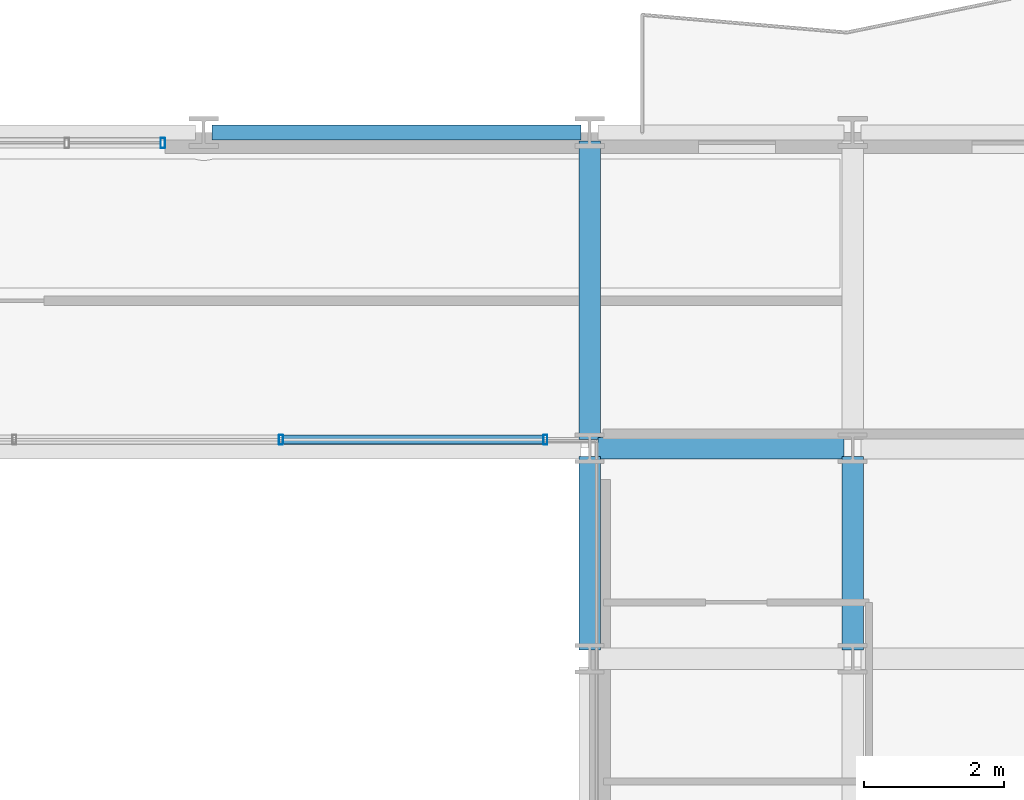
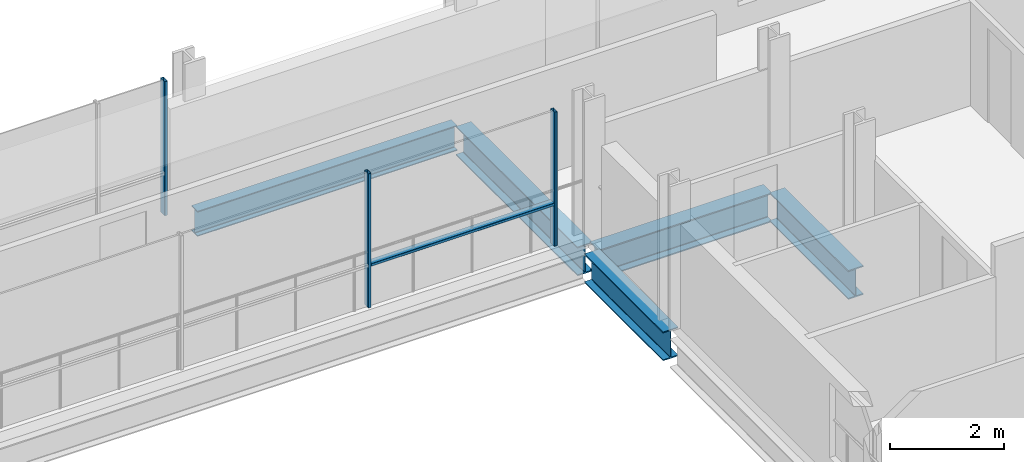
# One storey, part 17 of 39: 5 beams, 4 members, 2 elements without a shape of their own.
"""IFC4 building model written with IfcOpenShell, lengths in metres."""

from ifc_helpers import new_model, si_unit, direction, frame, origin, origin_2d, place, context, subcontext, project, spatial, hollow_rectangle, i_section, extrude, material, layer, layer_set, material_profile, profile_set, type_object, element, aggregate, save


model = new_model("IFC4")

# Units and contexts
model_context = context("Model", 3, precision=1e-05, world=origin(), true_north=direction((0.0, 1.0)))
body_context = subcontext(model_context, "Body", "Model", "MODEL_VIEW")
ifc_project = project(units=[si_unit("LENGTHUNIT", "METRE"), si_unit("AREAUNIT", "SQUARE_METRE"), si_unit("VOLUMEUNIT", "CUBIC_METRE"), si_unit("PLANEANGLEUNIT", "RADIAN"), si_unit("MASSUNIT", "GRAM", prefix="KILO")], contexts=[model_context])

# Site, building, storey
site_placement = place(None, origin())
site = spatial("IfcSite", under=ifc_project, at=site_placement, CompositionType="ELEMENT")
building_placement = place(site_placement, origin())
building = spatial("IfcBuilding", under=site, at=building_placement, Name="Brevholm Reach", CompositionType="ELEMENT")
storey_placement = place(building_placement, frame((0.0, 0.0, 83.800048828125)))
storey = spatial("IfcBuildingStorey", under=building, at=storey_placement, Name="L24", CompositionType="ELEMENT", Elevation=83.800048828125)

# Beams
ifc_material_1 = material(Name="Structural Steel S355J2", Category="steel")
ifc_material_profile_1 = material_profile(ifc_material_1, i_section(OverallWidth=0.210693359375, OverallDepth=0.53955078125, WebThickness=0.01171875, FlangeThickness=0.018798828125, FilletRadius=0.0126953125, at=origin_2d()), Name="UKB 533x210x109")
ifc_profile_set_1 = profile_set([ifc_material_profile_1], Name="Structural Steel S355J2")
beam_type_1 = type_object("IfcBeamType", Name="BM-SP539", PredefinedType="SPANDREL", material=ifc_profile_set_1)
beam_1_placement = place(storey_placement, frame((32.8701171875, 31.0, -0.499755859375), z_axis=(1.0, 0.0, 0.0), x_axis=(0.0, 1.0, 0.0)))
element("IfcBeam", 1, at=beam_1_placement, inside=storey, type_object=beam_type_1, Name="L24 SP-01B Framing Beam", PredefinedType="SPANDREL", context=body_context, shape_type="SweptSolid", body=[
    extrude(i_section(OverallWidth=0.210693359375, OverallDepth=0.53955078125, WebThickness=0.01171875, FlangeThickness=0.018798828125, FilletRadius=0.0126953125, at=origin_2d()), origin(), (0.0, 0.0, 1.0), 5.259765625),
])
ifc_material_2 = material(Name="Structural Steel S355J2", Category="steel")
ifc_material_profile_2 = material_profile(ifc_material_2, i_section(OverallWidth=0.30712890625, OverallDepth=0.6201171875, WebThickness=0.01416015625, FlangeThickness=0.023681640625, FilletRadius=0.0166015625, at=origin_2d()), Name="UKB 610x305x179")
ifc_profile_set_2 = profile_set([ifc_material_profile_2], Name="Structural Steel S355J2")
beam_type_2 = type_object("IfcBeamType", Name="BM-UKB610H", PredefinedType="USERDEFINED", material=ifc_profile_set_2)
beam_2_placement = place(storey_placement, frame((38.3701171875, 26.5, -0.5400390625), z_axis=(1.0, 0.0, 0.0), x_axis=(0.0, 1.0, 0.0)))
element("IfcBeam", 2, at=beam_2_placement, inside=storey, type_object=beam_type_2, Name="L24 G-06 Framing Beam", ObjectType="GIRDER", PredefinedType="USERDEFINED", context=body_context, shape_type="SweptSolid", body=[
    extrude(i_section(OverallWidth=0.30712890625, OverallDepth=0.6201171875, WebThickness=0.01416015625, FlangeThickness=0.023681640625, FilletRadius=0.0166015625, at=origin_2d()), origin(), (0.0, 0.0, 1.0), 3.509765625),
])
beam_3_placement = place(storey_placement, frame((38.25, 23.6201171875, -0.5400390625), z_axis=(0.0, 1.0, 0.0), x_axis=(-1.0, 0.0, 0.0)))
element("IfcBeam", 3, at=beam_3_placement, inside=storey, type_object=beam_type_2, Name="L24 G-06 Framing Beam", ObjectType="GIRDER", PredefinedType="USERDEFINED", context=body_context, shape_type="SweptSolid", body=[
    extrude(i_section(OverallWidth=0.30712890625, OverallDepth=0.6201171875, WebThickness=0.01416015625, FlangeThickness=0.023681640625, FilletRadius=0.0166015625, at=origin_2d()), origin(), (0.0, 0.0, 1.0), 2.759765625),
])
beam_4_placement = place(storey_placement, frame((38.25, 26.6201171875, -0.5400390625), z_axis=(0.0, 1.0, 0.0), x_axis=(-1.0, 0.0, 0.0)))
element("IfcBeam", 4, at=beam_4_placement, inside=storey, type_object=beam_type_2, Name="L24 G-06 Framing Beam", ObjectType="GIRDER", PredefinedType="USERDEFINED", context=body_context, shape_type="SweptSolid", body=[
    extrude(i_section(OverallWidth=0.30712890625, OverallDepth=0.6201171875, WebThickness=0.01416015625, FlangeThickness=0.023681640625, FilletRadius=0.0166015625, at=origin_2d()), origin(), (0.0, 0.0, 1.0), 4.259765625),
])
beam_5_placement = place(storey_placement, frame((42.0, 23.6201171875, -0.5400390625), z_axis=(0.0, 1.0, 0.0), x_axis=(-1.0, 0.0, 0.0)))
element("IfcBeam", 5, at=beam_5_placement, inside=storey, type_object=beam_type_2, Name="L24 G-06 Framing Beam", ObjectType="GIRDER", PredefinedType="USERDEFINED", context=body_context, shape_type="SweptSolid", body=[
    extrude(i_section(OverallWidth=0.30712890625, OverallDepth=0.6201171875, WebThickness=0.01416015625, FlangeThickness=0.023681640625, FilletRadius=0.0166015625, at=origin_2d()), origin(), (0.0, 0.0, 1.0), 2.759765625),
])

# Curtain wall, members
ifc_material_3 = material(Name="Dark Anodised Aluminium 6063-T6 and Solar-Control Glass", Category="aluminium")
ifc_layer_1 = layer(ifc_material_3, 0.139892578125)
ifc_layer_set_1 = layer_set([ifc_layer_1], Name="Dark Anodised Aluminium 6063-T6 and Solar-Control Glass")
curtain_wall_type_1 = type_object("IfcCurtainWallType", Name="CW-02", PredefinedType="NOTDEFINED", material=ifc_layer_set_1)
curtain_wall_1_placement = place(storey_placement, origin())
curtain_wall_1 = element("IfcCurtainWall", 6, at=curtain_wall_1_placement, inside=storey, type_object=curtain_wall_type_1, Name="L24 Curtain Wall CW-02", PredefinedType="NOTDEFINED")
ifc_material_4 = material(Name="Dark Anodised Aluminium 6063-T6", Category="aluminium")
ifc_material_profile_3 = material_profile(ifc_material_4, hollow_rectangle(XDim=0.06005859375, YDim=0.139892578125, WallThickness=0.0048828125, InnerFilletRadius=0.0048828125, OuterFilletRadius=0.010009765625, at=origin_2d()), Name="RHS 140x60x5")
ifc_profile_set_3 = profile_set([ifc_material_profile_3], Name="Dark Anodised Aluminium 6063-T6")
member_type_1 = type_object("IfcMemberType", Name="CWM-140", PredefinedType="MULLION", material=ifc_profile_set_3)
member_1_placement = place(storey_placement, frame((37.6201171875, 26.6201171875, 0.0), z_axis=(0.0, 0.0, 1.0), x_axis=(-1.0, 0.0, 0.0)))
member_1 = element("IfcMember", 7, at=member_1_placement, type_object=member_type_1, Name="CM-140 Mullion 1", PredefinedType="MULLION", context=body_context, shape_type="SweptSolid", body=[
    extrude(hollow_rectangle(XDim=0.06005859375, YDim=0.139892578125, WallThickness=0.0048828125, InnerFilletRadius=0.0048828125, OuterFilletRadius=0.010009765625, at=origin_2d()), origin(), (0.0, 0.0, 1.0), 2.869873046875),
])
member_2_placement = place(storey_placement, frame((33.85009765625, 26.6201171875, 0.0), z_axis=(0.0, 0.0, 1.0), x_axis=(-1.0, 0.0, 0.0)))
member_2 = element("IfcMember", 8, at=member_2_placement, type_object=member_type_1, Name="CM-140 Mullion 2", PredefinedType="MULLION", context=body_context, shape_type="SweptSolid", body=[
    extrude(hollow_rectangle(XDim=0.06005859375, YDim=0.139892578125, WallThickness=0.0048828125, InnerFilletRadius=0.0048828125, OuterFilletRadius=0.010009765625, at=origin_2d()), origin(), (0.0, 0.0, 1.0), 2.869873046875),
])

# Curtain wall, member
ifc_material_5 = material(Name="Dark Anodised Aluminium 6063-T6 and Solar-Control Glass", Category="aluminium")
ifc_layer_2 = layer(ifc_material_5, 0.14990234375)
ifc_layer_set_2 = layer_set([ifc_layer_2], Name="Dark Anodised Aluminium 6063-T6 and Solar-Control Glass")
curtain_wall_type_2 = type_object("IfcCurtainWallType", Name="CW-01", PredefinedType="NOTDEFINED", material=ifc_layer_set_2)
curtain_wall_2_placement = place(storey_placement, origin())
curtain_wall_2 = element("IfcCurtainWall", 9, at=curtain_wall_2_placement, inside=storey, type_object=curtain_wall_type_2, Name="L24 Curtain Wall CW-01", PredefinedType="NOTDEFINED")
ifc_material_6 = material(Name="Dark Anodised Aluminium 6063-T6", Category="aluminium")
ifc_material_profile_4 = material_profile(ifc_material_6, hollow_rectangle(XDim=0.06494140625, YDim=0.14990234375, WallThickness=0.0048828125, InnerFilletRadius=0.0048828125, OuterFilletRadius=0.010009765625, at=origin_2d()), Name="RHS 150x65x5")
ifc_profile_set_4 = profile_set([ifc_material_profile_4], Name="Dark Anodised Aluminium 6063-T6")
member_type_2 = type_object("IfcMemberType", Name="CWM-150", PredefinedType="MULLION", material=ifc_profile_set_4)
member_3_placement = place(storey_placement, frame((32.16748046875, 30.85009765625, 0.0), z_axis=(0.0, 0.0, 1.0), x_axis=(1.0, 0.0, 0.0)))
member_3 = element("IfcMember", 10, at=member_3_placement, type_object=member_type_2, Name="CM-150 Mullion 3", PredefinedType="MULLION", context=body_context, shape_type="SweptSolid", body=[
    extrude(hollow_rectangle(XDim=0.06494140625, YDim=0.14990234375, WallThickness=0.0048828125, InnerFilletRadius=0.0048828125, OuterFilletRadius=0.010009765625, at=origin_2d()), origin(), (0.0, 0.0, 1.0), 2.869873046875),
])
aggregate(curtain_wall_2, [member_3])

# Member
ifc_material_7 = material(Name="Dark Anodised Aluminium 6063-T6", Category="aluminium")
ifc_material_profile_5 = material_profile(ifc_material_7, hollow_rectangle(XDim=0.06005859375, YDim=0.139892578125, WallThickness=0.0048828125, InnerFilletRadius=0.0048828125, OuterFilletRadius=0.010009765625, at=origin_2d()), Name="RHS 140x60x5")
ifc_profile_set_5 = profile_set([ifc_material_profile_5], Name="Dark Anodised Aluminium 6063-T6")
member_type_3 = type_object("IfcMemberType", Name="CWT-140", PredefinedType="NOTDEFINED", material=ifc_profile_set_5)
member_4_placement = place(storey_placement, frame((37.590087890625, 26.6201171875, 0.89990234375), z_axis=(-1.0, 0.0, 0.0), x_axis=(0.0, 0.0, 1.0)))
member_4 = element("IfcMember", 11, at=member_4_placement, type_object=member_type_3, Name="CT-140 Transom 1.1", ObjectType="TRANSOM", PredefinedType="USERDEFINED", context=body_context, shape_type="SweptSolid", body=[
    extrude(hollow_rectangle(XDim=0.06005859375, YDim=0.139892578125, WallThickness=0.0048828125, InnerFilletRadius=0.0048828125, OuterFilletRadius=0.010009765625, at=origin_2d()), origin(), (0.0, 0.0, 1.0), 3.710205078125),
])

aggregate(curtain_wall_1, [member_1, member_2, member_4])

save(model, "model.ifc")
